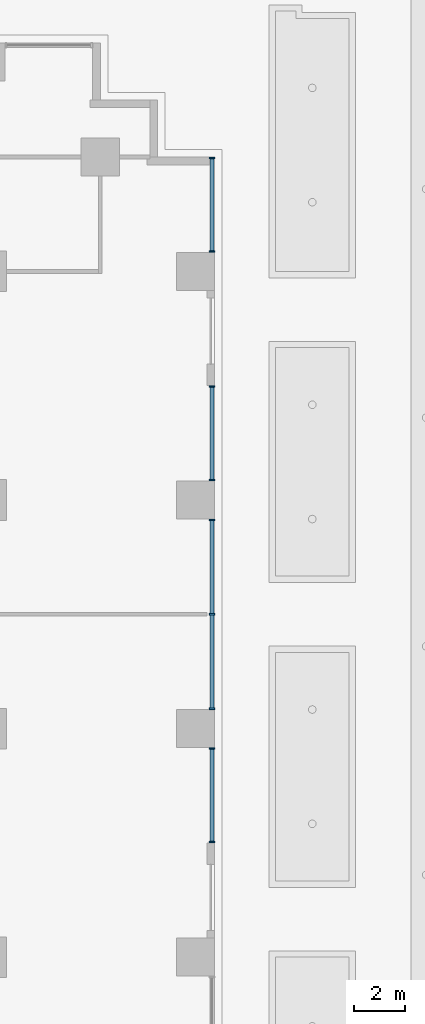
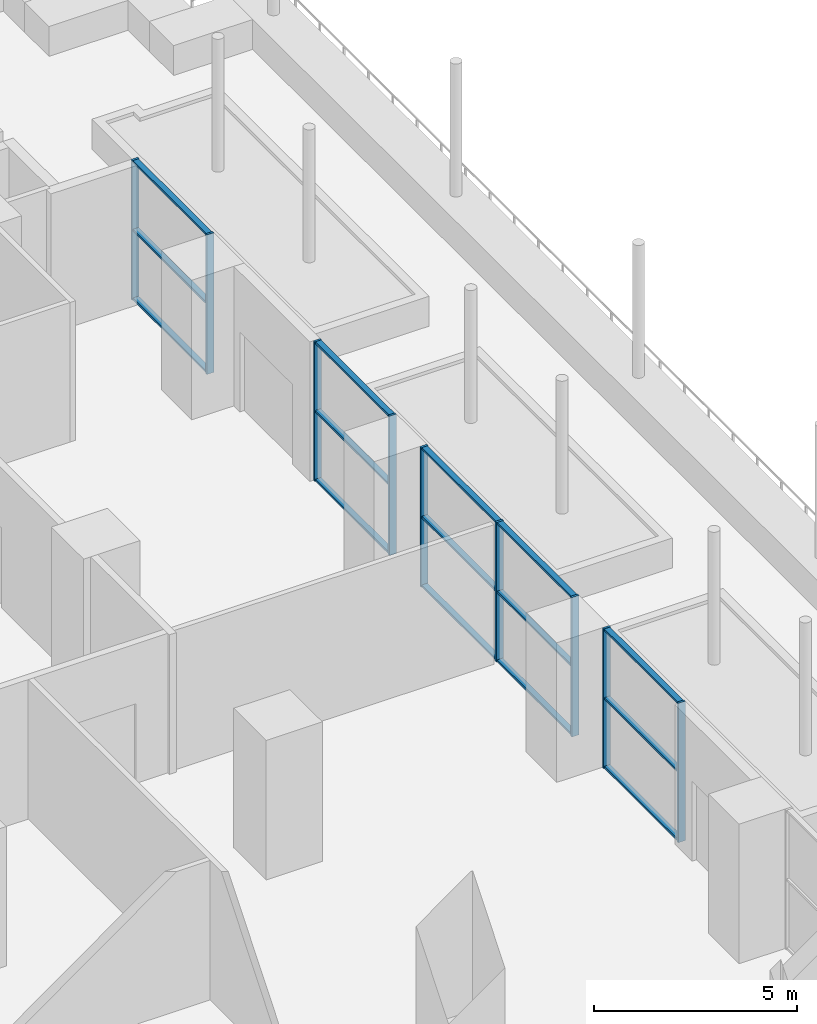
# One storey, part 5 of 18: 24 members, 4 elements without a shape of their own.
"""IFC4 building model written with IfcOpenShell, lengths in metres."""

from ifc_helpers import new_model, si_unit, direction, frame, origin, origin_2d, place, context, subcontext, project, spatial, rectangle, extrude, material, material_profile, profile_set, type_object, element, aggregate, save


model = new_model("IFC4")

# Units and contexts
model_context = context("Model", 3, precision=1e-05, world=origin(), true_north=direction((0.0, 1.0)))
body_context = subcontext(model_context, "Body", "Model", "MODEL_VIEW")
ifc_project = project(units=[si_unit("LENGTHUNIT", "METRE"), si_unit("AREAUNIT", "SQUARE_METRE"), si_unit("VOLUMEUNIT", "CUBIC_METRE"), si_unit("PLANEANGLEUNIT", "RADIAN"), si_unit("MASSUNIT", "GRAM", prefix="KILO")], contexts=[model_context])

# Site, building, storey
site_placement = place(None, origin())
site = spatial("IfcSite", under=ifc_project, at=site_placement, CompositionType="ELEMENT")
building_placement = place(site_placement, origin())
building = spatial("IfcBuilding", under=site, at=building_placement, Name="Orbiselva Terraces", CompositionType="ELEMENT")
storey_placement = place(building_placement, frame((0.0, 0.0, 10.5)))
storey = spatial("IfcBuildingStorey", under=building, at=storey_placement, Name="L02", CompositionType="ELEMENT", Elevation=10.5)

# Curtain wall, members
ifc_material_1 = material(Name="Clear low-e glazing in aluminium frame", Category="aluminium")
curtain_wall_type = type_object("IfcCurtainWallType", Name="ENV-CW-PAVILION", PredefinedType="NOTDEFINED", material=ifc_material_1)
curtain_wall_1_placement = place(storey_placement, origin())
curtain_wall_1 = element("IfcCurtainWall", 1, at=curtain_wall_1_placement, inside=storey, type_object=curtain_wall_type, Name="Curtain wall L02 E", PredefinedType="NOTDEFINED")
ifc_material_2 = material(Name="Anodised aluminium", Category="aluminium")
ifc_material_profile_1 = material_profile(ifc_material_2, rectangle(XDim=0.2, YDim=0.065, at=origin_2d()), Name="AL 65x200")
ifc_profile_set_1 = profile_set([ifc_material_profile_1], Name="Anodised aluminium")
member_type_1 = type_object("IfcMemberType", Name="ENV-CW-PAVILION-MULLION-65x200", PredefinedType="MULLION", material=ifc_profile_set_1)
member_1_placement = place(storey_placement, frame((26.9, -8.9675, 0.0), z_axis=(0.0, 0.0, 1.0), x_axis=(-1.0, 0.0, 0.0)))
member_1 = element("IfcMember", 2, at=member_1_placement, type_object=member_type_1, Name="CW2 mullion 1", PredefinedType="MULLION", context=body_context, shape_type="SweptSolid", body=[
    extrude(rectangle(XDim=0.2, YDim=0.065, at=origin_2d()), origin(), (0.0, 0.0, 1.0), 4.2),
])
member_2_placement = place(storey_placement, frame((26.9, -5.2825, 0.0), z_axis=(0.0, 0.0, 1.0), x_axis=(-1.0, 0.0, 0.0)))
member_2 = element("IfcMember", 3, at=member_2_placement, type_object=member_type_1, Name="CW2 mullion 2", PredefinedType="MULLION", context=body_context, shape_type="SweptSolid", body=[
    extrude(rectangle(XDim=0.2, YDim=0.065, at=origin_2d()), origin(), (0.0, 0.0, 1.0), 4.2),
])

curtain_wall_2_placement = place(storey_placement, origin())
curtain_wall_2 = element("IfcCurtainWall", 4, at=curtain_wall_2_placement, inside=storey, type_object=curtain_wall_type, Name="Curtain wall L02 E", PredefinedType="NOTDEFINED")
member_3_placement = place(storey_placement, frame((26.9, -3.7175, 0.0), z_axis=(0.0, 0.0, 1.0), x_axis=(-1.0, 0.0, 0.0)))
member_3 = element("IfcMember", 5, at=member_3_placement, type_object=member_type_1, Name="CW2 mullion 1", PredefinedType="MULLION", context=body_context, shape_type="SweptSolid", body=[
    extrude(rectangle(XDim=0.2, YDim=0.065, at=origin_2d()), origin(), (0.0, 0.0, 1.0), 4.2),
])
member_4_placement = place(storey_placement, frame((26.9, 0.0, 0.0), z_axis=(0.0, 0.0, 1.0), x_axis=(-1.0, 0.0, 0.0)))
member_4 = element("IfcMember", 6, at=member_4_placement, type_object=member_type_1, Name="CW2 mullion 2", PredefinedType="MULLION", context=body_context, shape_type="SweptSolid", body=[
    extrude(rectangle(XDim=0.2, YDim=0.065, at=origin_2d()), origin(), (0.0, 0.0, 1.0), 4.2),
])
member_5_placement = place(storey_placement, frame((26.9, 3.7175, 0.0), z_axis=(0.0, 0.0, 1.0), x_axis=(-1.0, 0.0, 0.0)))
member_5 = element("IfcMember", 7, at=member_5_placement, type_object=member_type_1, Name="CW2 mullion 3", PredefinedType="MULLION", context=body_context, shape_type="SweptSolid", body=[
    extrude(rectangle(XDim=0.2, YDim=0.065, at=origin_2d()), origin(), (0.0, 0.0, 1.0), 4.2),
])

curtain_wall_3_placement = place(storey_placement, origin())
curtain_wall_3 = element("IfcCurtainWall", 8, at=curtain_wall_3_placement, inside=storey, type_object=curtain_wall_type, Name="Curtain wall L02 E", PredefinedType="NOTDEFINED")
member_6_placement = place(storey_placement, frame((26.9, 5.2825, 0.0), z_axis=(0.0, 0.0, 1.0), x_axis=(-1.0, 0.0, 0.0)))
member_6 = element("IfcMember", 9, at=member_6_placement, type_object=member_type_1, Name="CW2 mullion 1", PredefinedType="MULLION", context=body_context, shape_type="SweptSolid", body=[
    extrude(rectangle(XDim=0.2, YDim=0.065, at=origin_2d()), origin(), (0.0, 0.0, 1.0), 4.2),
])
member_7_placement = place(storey_placement, frame((26.9, 8.9675, 0.0), z_axis=(0.0, 0.0, 1.0), x_axis=(-1.0, 0.0, 0.0)))
member_7 = element("IfcMember", 10, at=member_7_placement, type_object=member_type_1, Name="CW2 mullion 2", PredefinedType="MULLION", context=body_context, shape_type="SweptSolid", body=[
    extrude(rectangle(XDim=0.2, YDim=0.065, at=origin_2d()), origin(), (0.0, 0.0, 1.0), 4.2),
])

curtain_wall_4_placement = place(storey_placement, origin())
curtain_wall_4 = element("IfcCurtainWall", 11, at=curtain_wall_4_placement, inside=storey, type_object=curtain_wall_type, Name="Curtain wall L02 E", PredefinedType="NOTDEFINED")
member_8_placement = place(storey_placement, frame((26.9, 14.2825, 0.0), z_axis=(0.0, 0.0, 1.0), x_axis=(-1.0, 0.0, 0.0)))
member_8 = element("IfcMember", 12, at=member_8_placement, type_object=member_type_1, Name="CW2 mullion 1", PredefinedType="MULLION", context=body_context, shape_type="SweptSolid", body=[
    extrude(rectangle(XDim=0.2, YDim=0.065, at=origin_2d()), origin(), (0.0, 0.0, 1.0), 4.2),
])
member_9_placement = place(storey_placement, frame((26.9, 17.9675, 0.0), z_axis=(0.0, 0.0, 1.0), x_axis=(-1.0, 0.0, 0.0)))
member_9 = element("IfcMember", 13, at=member_9_placement, type_object=member_type_1, Name="CW2 mullion 2", PredefinedType="MULLION", context=body_context, shape_type="SweptSolid", body=[
    extrude(rectangle(XDim=0.2, YDim=0.065, at=origin_2d()), origin(), (0.0, 0.0, 1.0), 4.2),
])

# Member
ifc_material_profile_2 = material_profile(ifc_material_2, rectangle(XDim=0.16, YDim=0.065, at=origin_2d()), Name="AL 65x160")
ifc_profile_set_2 = profile_set([ifc_material_profile_2], Name="Anodised aluminium")
member_type_2 = type_object("IfcMemberType", Name="ENV-CW-PAVILION-TRANSOM-65x160", PredefinedType="USERDEFINED", material=ifc_profile_set_2)
member_10_placement = place(storey_placement, frame((26.9, -8.935, 0.0325), z_axis=(0.0, 1.0, 0.0), x_axis=(-1.0, 0.0, 0.0)))
member_10 = element("IfcMember", 14, at=member_10_placement, type_object=member_type_2, Name="CW2 transom 1.1", ObjectType="TRANSOM", PredefinedType="USERDEFINED", context=body_context, shape_type="SweptSolid", body=[
    extrude(rectangle(XDim=0.16, YDim=0.065, at=origin_2d()), origin(), (0.0, 0.0, 1.0), 3.62),
])

member_11_placement = place(storey_placement, frame((26.9, -8.935, 2.1), z_axis=(0.0, 1.0, 0.0), x_axis=(-1.0, 0.0, 0.0)))
member_11 = element("IfcMember", 15, at=member_11_placement, type_object=member_type_2, Name="CW2 transom 1.2", ObjectType="TRANSOM", PredefinedType="USERDEFINED", context=body_context, shape_type="SweptSolid", body=[
    extrude(rectangle(XDim=0.16, YDim=0.065, at=origin_2d()), origin(), (0.0, 0.0, 1.0), 3.62),
])

member_12_placement = place(storey_placement, frame((26.9, -8.935, 4.1675), z_axis=(0.0, 1.0, 0.0), x_axis=(-1.0, 0.0, 0.0)))
member_12 = element("IfcMember", 16, at=member_12_placement, type_object=member_type_2, Name="CW2 transom 1.3", ObjectType="TRANSOM", PredefinedType="USERDEFINED", context=body_context, shape_type="SweptSolid", body=[
    extrude(rectangle(XDim=0.16, YDim=0.065, at=origin_2d()), origin(), (0.0, 0.0, 1.0), 3.62),
])

aggregate(curtain_wall_1, [member_1, member_2, member_10, member_11, member_12])

member_13_placement = place(storey_placement, frame((26.9, -3.685, 0.0325), z_axis=(0.0, 1.0, 0.0), x_axis=(-1.0, 0.0, 0.0)))
member_13 = element("IfcMember", 17, at=member_13_placement, type_object=member_type_2, Name="CW2 transom 1.1", ObjectType="TRANSOM", PredefinedType="USERDEFINED", context=body_context, shape_type="SweptSolid", body=[
    extrude(rectangle(XDim=0.16, YDim=0.065, at=origin_2d()), origin(), (0.0, 0.0, 1.0), 3.6525),
])

member_14_placement = place(storey_placement, frame((26.9, -3.685, 2.1), z_axis=(0.0, 1.0, 0.0), x_axis=(-1.0, 0.0, 0.0)))
member_14 = element("IfcMember", 18, at=member_14_placement, type_object=member_type_2, Name="CW2 transom 1.2", ObjectType="TRANSOM", PredefinedType="USERDEFINED", context=body_context, shape_type="SweptSolid", body=[
    extrude(rectangle(XDim=0.16, YDim=0.065, at=origin_2d()), origin(), (0.0, 0.0, 1.0), 3.6525),
])

member_15_placement = place(storey_placement, frame((26.9, -3.685, 4.1675), z_axis=(0.0, 1.0, 0.0), x_axis=(-1.0, 0.0, 0.0)))
member_15 = element("IfcMember", 19, at=member_15_placement, type_object=member_type_2, Name="CW2 transom 1.3", ObjectType="TRANSOM", PredefinedType="USERDEFINED", context=body_context, shape_type="SweptSolid", body=[
    extrude(rectangle(XDim=0.16, YDim=0.065, at=origin_2d()), origin(), (0.0, 0.0, 1.0), 3.6525),
])

member_16_placement = place(storey_placement, frame((26.9, 0.0325, 0.0325), z_axis=(0.0, 1.0, 0.0), x_axis=(-1.0, 0.0, 0.0)))
member_16 = element("IfcMember", 20, at=member_16_placement, type_object=member_type_2, Name="CW2 transom 2.1", ObjectType="TRANSOM", PredefinedType="USERDEFINED", context=body_context, shape_type="SweptSolid", body=[
    extrude(rectangle(XDim=0.16, YDim=0.065, at=origin_2d()), origin(), (0.0, 0.0, 1.0), 3.6525),
])

member_17_placement = place(storey_placement, frame((26.9, 0.0325, 2.1), z_axis=(0.0, 1.0, 0.0), x_axis=(-1.0, 0.0, 0.0)))
member_17 = element("IfcMember", 21, at=member_17_placement, type_object=member_type_2, Name="CW2 transom 2.2", ObjectType="TRANSOM", PredefinedType="USERDEFINED", context=body_context, shape_type="SweptSolid", body=[
    extrude(rectangle(XDim=0.16, YDim=0.065, at=origin_2d()), origin(), (0.0, 0.0, 1.0), 3.6525),
])

member_18_placement = place(storey_placement, frame((26.9, 0.0325, 4.1675), z_axis=(0.0, 1.0, 0.0), x_axis=(-1.0, 0.0, 0.0)))
member_18 = element("IfcMember", 22, at=member_18_placement, type_object=member_type_2, Name="CW2 transom 2.3", ObjectType="TRANSOM", PredefinedType="USERDEFINED", context=body_context, shape_type="SweptSolid", body=[
    extrude(rectangle(XDim=0.16, YDim=0.065, at=origin_2d()), origin(), (0.0, 0.0, 1.0), 3.6525),
])

aggregate(curtain_wall_2, [member_3, member_4, member_5, member_13, member_14, member_15, member_16, member_17, member_18])

member_19_placement = place(storey_placement, frame((26.9, 5.315, 0.0325), z_axis=(0.0, 1.0, 0.0), x_axis=(-1.0, 0.0, 0.0)))
member_19 = element("IfcMember", 23, at=member_19_placement, type_object=member_type_2, Name="CW2 transom 1.1", ObjectType="TRANSOM", PredefinedType="USERDEFINED", context=body_context, shape_type="SweptSolid", body=[
    extrude(rectangle(XDim=0.16, YDim=0.065, at=origin_2d()), origin(), (0.0, 0.0, 1.0), 3.62),
])

member_20_placement = place(storey_placement, frame((26.9, 5.315, 2.1), z_axis=(0.0, 1.0, 0.0), x_axis=(-1.0, 0.0, 0.0)))
member_20 = element("IfcMember", 24, at=member_20_placement, type_object=member_type_2, Name="CW2 transom 1.2", ObjectType="TRANSOM", PredefinedType="USERDEFINED", context=body_context, shape_type="SweptSolid", body=[
    extrude(rectangle(XDim=0.16, YDim=0.065, at=origin_2d()), origin(), (0.0, 0.0, 1.0), 3.62),
])

member_21_placement = place(storey_placement, frame((26.9, 5.315, 4.1675), z_axis=(0.0, 1.0, 0.0), x_axis=(-1.0, 0.0, 0.0)))
member_21 = element("IfcMember", 25, at=member_21_placement, type_object=member_type_2, Name="CW2 transom 1.3", ObjectType="TRANSOM", PredefinedType="USERDEFINED", context=body_context, shape_type="SweptSolid", body=[
    extrude(rectangle(XDim=0.16, YDim=0.065, at=origin_2d()), origin(), (0.0, 0.0, 1.0), 3.62),
])

aggregate(curtain_wall_3, [member_6, member_7, member_19, member_20, member_21])

member_22_placement = place(storey_placement, frame((26.9, 14.315, 0.0325), z_axis=(0.0, 1.0, 0.0), x_axis=(-1.0, 0.0, 0.0)))
member_22 = element("IfcMember", 26, at=member_22_placement, type_object=member_type_2, Name="CW2 transom 1.1", ObjectType="TRANSOM", PredefinedType="USERDEFINED", context=body_context, shape_type="SweptSolid", body=[
    extrude(rectangle(XDim=0.16, YDim=0.065, at=origin_2d()), origin(), (0.0, 0.0, 1.0), 3.62),
])

member_23_placement = place(storey_placement, frame((26.9, 14.315, 2.1), z_axis=(0.0, 1.0, 0.0), x_axis=(-1.0, 0.0, 0.0)))
member_23 = element("IfcMember", 27, at=member_23_placement, type_object=member_type_2, Name="CW2 transom 1.2", ObjectType="TRANSOM", PredefinedType="USERDEFINED", context=body_context, shape_type="SweptSolid", body=[
    extrude(rectangle(XDim=0.16, YDim=0.065, at=origin_2d()), origin(), (0.0, 0.0, 1.0), 3.62),
])

member_24_placement = place(storey_placement, frame((26.9, 14.315, 4.1675), z_axis=(0.0, 1.0, 0.0), x_axis=(-1.0, 0.0, 0.0)))
member_24 = element("IfcMember", 28, at=member_24_placement, type_object=member_type_2, Name="CW2 transom 1.3", ObjectType="TRANSOM", PredefinedType="USERDEFINED", context=body_context, shape_type="SweptSolid", body=[
    extrude(rectangle(XDim=0.16, YDim=0.065, at=origin_2d()), origin(), (0.0, 0.0, 1.0), 3.62),
])

aggregate(curtain_wall_4, [member_8, member_9, member_22, member_23, member_24])

save(model, "model.ifc")
